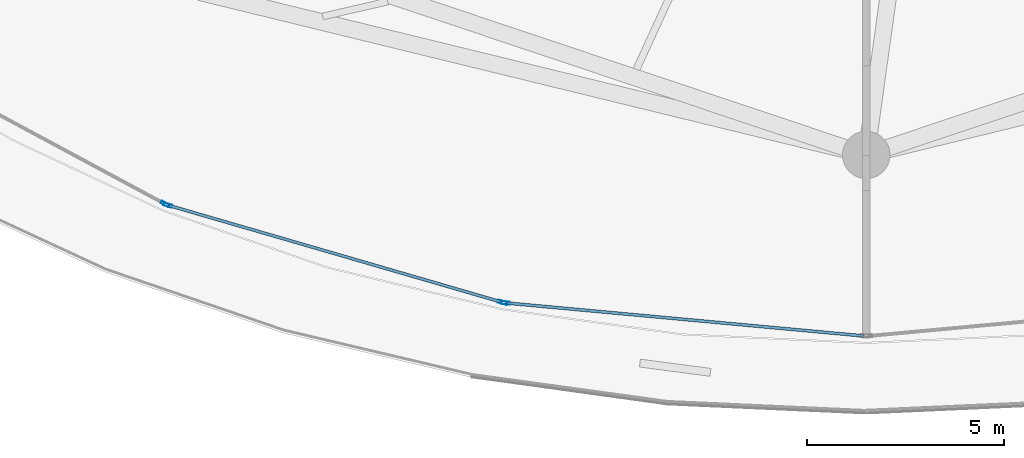
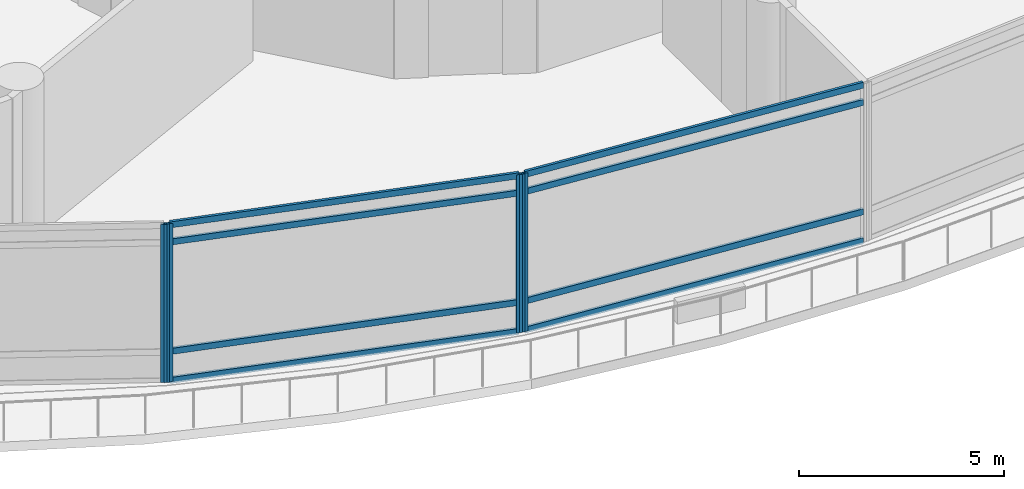
# One storey, part 3 of 36: 12 members, 3 elements without a shape of their own.
"""IFC4 building model written with IfcOpenShell, lengths in metres."""

from ifc_helpers import new_model, si_unit, direction, frame, origin, origin_2d, place, context, subcontext, project, spatial, hollow_rectangle, extrude, material, layer, layer_set, material_profile, profile_set, type_object, element, aggregate, save


model = new_model("IFC4")

# Units and contexts
model_context = context("Model", 3, precision=1e-05, world=origin(), true_north=direction((0.0, 1.0)))
body_context = subcontext(model_context, "Body", "Model", "MODEL_VIEW")
ifc_project = project(units=[si_unit("LENGTHUNIT", "METRE"), si_unit("AREAUNIT", "SQUARE_METRE"), si_unit("VOLUMEUNIT", "CUBIC_METRE"), si_unit("PLANEANGLEUNIT", "RADIAN"), si_unit("MASSUNIT", "GRAM", prefix="KILO")], contexts=[model_context])

# Site, building, storey
site_placement = place(None, origin())
site = spatial("IfcSite", under=ifc_project, at=site_placement, CompositionType="ELEMENT")
building_placement = place(site_placement, origin())
building = spatial("IfcBuilding", under=site, at=building_placement, Name="Nuhasar Tower", CompositionType="ELEMENT")
storey_placement = place(building_placement, frame((0.0, 0.0, 11.0)))
storey = spatial("IfcBuildingStorey", under=building, at=storey_placement, Name="L02", CompositionType="ELEMENT", Elevation=11.0)

# Curtain wall, member
ifc_material = material(Name="Aluminium 6063-T6", Category="aluminium")
ifc_layer = layer(ifc_material, 0.219970703125)
ifc_layer_set = layer_set([ifc_layer], Name="Aluminium 6063-T6")
curtain_wall_type = type_object("IfcCurtainWallType", Name="CW-PODIUM", PredefinedType="NOTDEFINED", material=ifc_layer_set)
curtain_wall_1_placement = place(storey_placement, origin())
curtain_wall_1 = element("IfcCurtainWall", 1, at=curtain_wall_1_placement, inside=storey, type_object=curtain_wall_type, Name="L02 Podium Curtain Wall Bay 16", PredefinedType="NOTDEFINED")
ifc_material_profile_1 = material_profile(ifc_material, hollow_rectangle(XDim=0.074951171875, YDim=0.219970703125, WallThickness=0.0048828125, at=origin_2d()), Name="CWM-1")
ifc_profile_set_1 = profile_set([ifc_material_profile_1], Name="Aluminium 6063-T6")
member_type_1 = type_object("IfcMemberType", Name="CW-MUL-S1", PredefinedType="MULLION", material=ifc_profile_set_1)
member_1_placement = place(storey_placement, frame((21.2470703125, 5.3056640625, 0.0), z_axis=(0.0, 0.0, 1.0), x_axis=(0.473606022453, 0.880736813978, 0.0)))
member_1 = element("IfcMember", 2, at=member_1_placement, type_object=member_type_1, Name="CW-P1 mullion 2", PredefinedType="MULLION", context=body_context, shape_type="SweptSolid", body=[
    extrude(hollow_rectangle(XDim=0.074951171875, YDim=0.219970703125, WallThickness=0.0048828125, at=origin_2d()), origin(), (0.0, 0.0, 1.0), 4.699951171875),
])
aggregate(curtain_wall_1, [member_1])

# Curtain wall, members
curtain_wall_2_placement = place(storey_placement, origin())
curtain_wall_2 = element("IfcCurtainWall", 3, at=curtain_wall_2_placement, inside=storey, type_object=curtain_wall_type, Name="L02 Podium Curtain Wall Bay 17", PredefinedType="NOTDEFINED")
member_2_placement = place(storey_placement, frame((21.31591796875, 5.277587890625, 0.0), z_axis=(0.0, 0.0, 1.0), x_axis=(0.278873705907, 0.960327785787, 0.0)))
member_2 = element("IfcMember", 4, at=member_2_placement, type_object=member_type_1, Name="CW-P1 mullion 1", PredefinedType="MULLION", context=body_context, shape_type="SweptSolid", body=[
    extrude(hollow_rectangle(XDim=0.074951171875, YDim=0.219970703125, WallThickness=0.0048828125, at=origin_2d()), origin(), (0.0, 0.0, 1.0), 4.699951171875),
])
member_3_placement = place(storey_placement, frame((29.791015625, 2.81640625, 0.0), z_axis=(0.0, 0.0, 1.0), x_axis=(0.278873705907, 0.960327785787, 0.0)))
member_3 = element("IfcMember", 5, at=member_3_placement, type_object=member_type_1, Name="CW-P1 mullion 2", PredefinedType="MULLION", context=body_context, shape_type="SweptSolid", body=[
    extrude(hollow_rectangle(XDim=0.074951171875, YDim=0.219970703125, WallThickness=0.0048828125, at=origin_2d()), origin(), (0.0, 0.0, 1.0), 4.699951171875),
])

# Curtain wall, member
curtain_wall_3_placement = place(storey_placement, origin())
curtain_wall_3 = element("IfcCurtainWall", 6, at=curtain_wall_3_placement, inside=storey, type_object=curtain_wall_type, Name="L02 Podium Curtain Wall Bay 18", PredefinedType="NOTDEFINED")
member_4_placement = place(storey_placement, frame((29.8642578125, 2.802490234375, 0.0), z_axis=(0.0, 0.0, 1.0), x_axis=(0.091837437601, 0.995774013045, 0.0)))
member_4 = element("IfcMember", 7, at=member_4_placement, type_object=member_type_1, Name="CW-P1 mullion 1", PredefinedType="MULLION", context=body_context, shape_type="SweptSolid", body=[
    extrude(hollow_rectangle(XDim=0.074951171875, YDim=0.219970703125, WallThickness=0.0048828125, at=origin_2d()), origin(), (0.0, 0.0, 1.0), 4.699951171875),
])

# Member
ifc_material_profile_2 = material_profile(ifc_material, hollow_rectangle(XDim=0.074951171875, YDim=0.179931640625, WallThickness=0.00439453125, at=origin_2d()), Name="CWT-1")
ifc_profile_set_2 = profile_set([ifc_material_profile_2], Name="Aluminium 6063-T6")
member_type_2 = type_object("IfcMemberType", Name="CW-TRN-S1", PredefinedType="USERDEFINED", material=ifc_profile_set_2)
member_5_placement = place(storey_placement, frame((21.35205078125, 5.26708984375, 0.03759765625), z_axis=(0.960326221701, -0.278879091926, 0.0), x_axis=(0.278879091926, 0.960326221701, 0.0)))
member_5 = element("IfcMember", 8, at=member_5_placement, type_object=member_type_2, Name="CW-P1 transom 1.1", ObjectType="TRANSOM", PredefinedType="USERDEFINED", context=body_context, shape_type="SweptSolid", body=[
    extrude(hollow_rectangle(XDim=0.074951171875, YDim=0.179931640625, WallThickness=0.00439453125, at=origin_2d()), origin(), (0.0, 0.0, 1.0), 8.75),
])

member_6_placement = place(storey_placement, frame((21.35205078125, 5.26708984375, 0.89990234375), z_axis=(0.960326221701, -0.278879091926, 0.0), x_axis=(0.278879091926, 0.960326221701, 0.0)))
member_6 = element("IfcMember", 9, at=member_6_placement, type_object=member_type_2, Name="CW-P1 transom 1.2", ObjectType="TRANSOM", PredefinedType="USERDEFINED", context=body_context, shape_type="SweptSolid", body=[
    extrude(hollow_rectangle(XDim=0.074951171875, YDim=0.179931640625, WallThickness=0.00439453125, at=origin_2d()), origin(), (0.0, 0.0, 1.0), 8.75),
])

member_7_placement = place(storey_placement, frame((21.35205078125, 5.26708984375, 4.14990234375), z_axis=(0.960326221701, -0.278879091926, 0.0), x_axis=(0.278879091926, 0.960326221701, 0.0)))
member_7 = element("IfcMember", 10, at=member_7_placement, type_object=member_type_2, Name="CW-P1 transom 1.3", ObjectType="TRANSOM", PredefinedType="USERDEFINED", context=body_context, shape_type="SweptSolid", body=[
    extrude(hollow_rectangle(XDim=0.074951171875, YDim=0.179931640625, WallThickness=0.00439453125, at=origin_2d()), origin(), (0.0, 0.0, 1.0), 8.75),
])

member_8_placement = place(storey_placement, frame((21.35205078125, 5.26708984375, 4.66259765625), z_axis=(0.960326221701, -0.278879091926, 0.0), x_axis=(0.278879091926, 0.960326221701, 0.0)))
member_8 = element("IfcMember", 11, at=member_8_placement, type_object=member_type_2, Name="CW-P1 transom 1.4", ObjectType="TRANSOM", PredefinedType="USERDEFINED", context=body_context, shape_type="SweptSolid", body=[
    extrude(hollow_rectangle(XDim=0.074951171875, YDim=0.179931640625, WallThickness=0.00439453125, at=origin_2d()), origin(), (0.0, 0.0, 1.0), 8.75),
])

aggregate(curtain_wall_2, [member_2, member_3, member_5, member_6, member_7, member_8])

member_9_placement = place(storey_placement, frame((29.901611328125, 2.799072265625, 0.03759765625), z_axis=(0.995773542735, -0.091842536922, 0.0), x_axis=(0.091842536922, 0.995773542735, 0.0)))
member_9 = element("IfcMember", 12, at=member_9_placement, type_object=member_type_2, Name="CW-P1 transom 1.1", ObjectType="TRANSOM", PredefinedType="USERDEFINED", context=body_context, shape_type="SweptSolid", body=[
    extrude(hollow_rectangle(XDim=0.074951171875, YDim=0.179931640625, WallThickness=0.00439453125, at=origin_2d()), origin(), (0.0, 0.0, 1.0), 9.06201171875),
])

member_10_placement = place(storey_placement, frame((29.901611328125, 2.799072265625, 0.89990234375), z_axis=(0.995773542735, -0.091842536922, 0.0), x_axis=(0.091842536922, 0.995773542735, 0.0)))
member_10 = element("IfcMember", 13, at=member_10_placement, type_object=member_type_2, Name="CW-P1 transom 1.2", ObjectType="TRANSOM", PredefinedType="USERDEFINED", context=body_context, shape_type="SweptSolid", body=[
    extrude(hollow_rectangle(XDim=0.074951171875, YDim=0.179931640625, WallThickness=0.00439453125, at=origin_2d()), origin(), (0.0, 0.0, 1.0), 9.06201171875),
])

member_11_placement = place(storey_placement, frame((29.901611328125, 2.799072265625, 4.14990234375), z_axis=(0.995773542735, -0.091842536922, 0.0), x_axis=(0.091842536922, 0.995773542735, 0.0)))
member_11 = element("IfcMember", 14, at=member_11_placement, type_object=member_type_2, Name="CW-P1 transom 1.3", ObjectType="TRANSOM", PredefinedType="USERDEFINED", context=body_context, shape_type="SweptSolid", body=[
    extrude(hollow_rectangle(XDim=0.074951171875, YDim=0.179931640625, WallThickness=0.00439453125, at=origin_2d()), origin(), (0.0, 0.0, 1.0), 9.06201171875),
])

member_12_placement = place(storey_placement, frame((29.901611328125, 2.799072265625, 4.66259765625), z_axis=(0.995773542735, -0.091842536922, 0.0), x_axis=(0.091842536922, 0.995773542735, 0.0)))
member_12 = element("IfcMember", 15, at=member_12_placement, type_object=member_type_2, Name="CW-P1 transom 1.4", ObjectType="TRANSOM", PredefinedType="USERDEFINED", context=body_context, shape_type="SweptSolid", body=[
    extrude(hollow_rectangle(XDim=0.074951171875, YDim=0.179931640625, WallThickness=0.00439453125, at=origin_2d()), origin(), (0.0, 0.0, 1.0), 9.06201171875),
])

aggregate(curtain_wall_3, [member_4, member_9, member_10, member_11, member_12])

save(model, "model.ifc")
